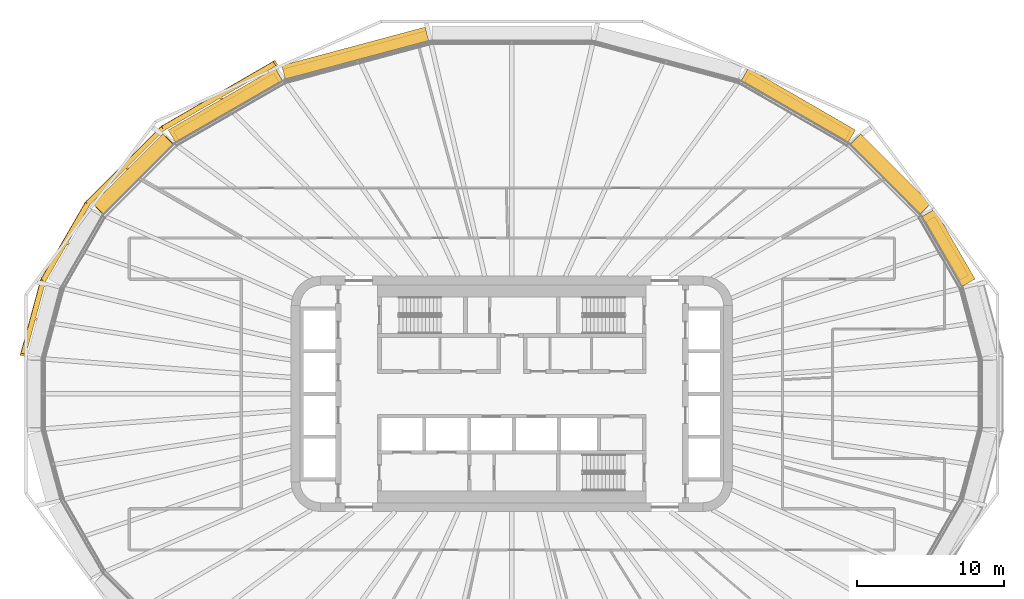
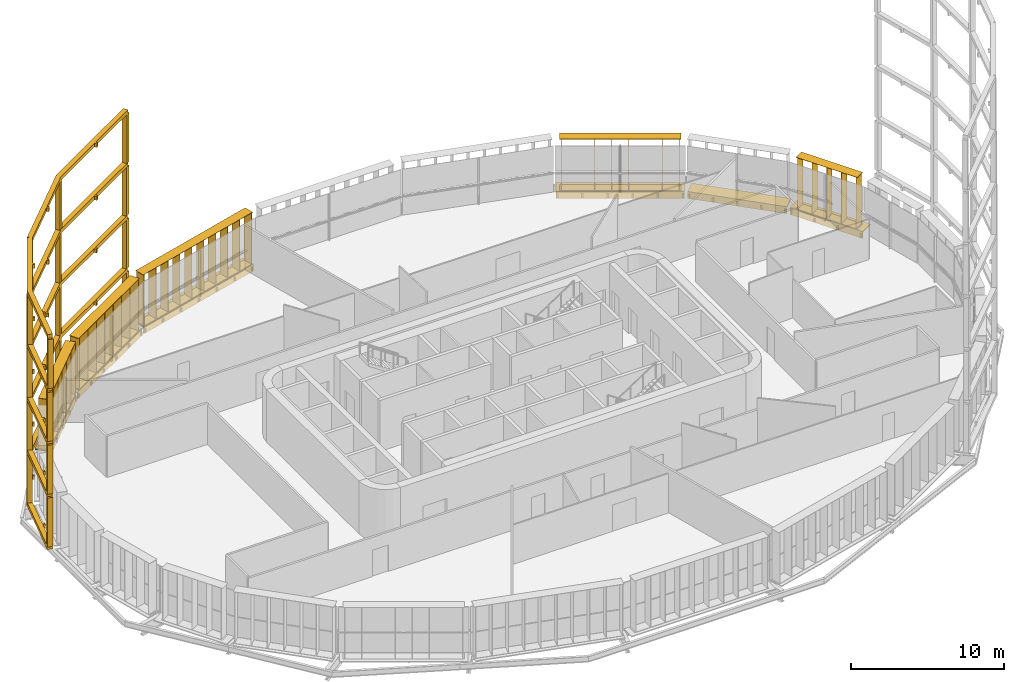
# One storey, part 25 of 26: 12 shading devices.
"""IFC4 building model written with IfcOpenShell, lengths in metres."""

import ifcopenshell
import ifcopenshell.guid

model = None  # the IFC model being written
_history = None  # IfcOwnerHistory: only IFC2X3 demands one
_inside = {}  # id of a spatial element -> (the spatial element, [elements in it])
_under = {}  # id of a project, library or spatial element -> (it, [spatial elements below it])
_declared = {}  # id of a project -> (the project, [libraries it declares])
_typed = {}  # id of a type object -> (the type object, [elements of that type])
_made_of = {}  # id of a material, layer set ... -> (it, [elements and type objects made of it])


def new_model(schema):
    """Start an empty IFC model of exactly this schema.

    Asked for "IFC4X3", IfcOpenShell would pick the latest addendum, in which some entities
    have other attributes; the version numbers below select the first issue.
    IFC2X3 requires an IfcOwnerHistory on every rooted entity: one is made here for all.
    """
    global model, _history
    if schema == "IFC4X3":
        model = ifcopenshell.file(schema_version=(4, 3, 0, 0))
    else:
        model = ifcopenshell.file(schema=schema)
    _inside.clear()
    _under.clear()
    _declared.clear()
    _typed.clear()
    _made_of.clear()
    _history = None
    if model.schema == "IFC2X3":
        org = make("IfcOrganization", Name="unknown")
        user = make(
            "IfcPersonAndOrganization",
            ThePerson=make("IfcPerson", FamilyName="unknown"),
            TheOrganization=org,
        )
        app = make(
            "IfcApplication",
            ApplicationDeveloper=org,
            Version="unknown",
            ApplicationFullName="unknown",
            ApplicationIdentifier="unknown",
        )
        _history = make(
            "IfcOwnerHistory",
            OwningUser=user,
            OwningApplication=app,
            ChangeAction="ADDED",
            CreationDate=0,
        )
    return model


def make(cls, **values):
    """One entity of the class cls with the attributes given. An attribute that is None is left unset."""
    return model.create_entity(
        cls, **{name: value for name, value in values.items() if value is not None}
    )


def rooted(cls, **values):
    """An entity with a GlobalId (a new one), such as an element, a storey or a relation."""
    return make(cls, GlobalId=ifcopenshell.guid.new(), OwnerHistory=_history, **values)


def si_unit(unit_type, name, prefix=None):
    """IfcSIUnit, for example si_unit("LENGTHUNIT", "METRE", prefix="MILLI")."""
    return make("IfcSIUnit", UnitType=unit_type, Prefix=prefix, Name=name)


def assignment(units):
    """IfcUnitAssignment: the units of a project."""
    return None if units is None else make("IfcUnitAssignment", Units=units)


def point(xyz):
    """IfcCartesianPoint."""
    return None if xyz is None else make("IfcCartesianPoint", Coordinates=xyz)


def direction(xyz):
    """IfcDirection."""
    return None if xyz is None else make("IfcDirection", DirectionRatios=xyz)


def frame(location, z_axis=None, x_axis=None):
    """IfcAxis2Placement3D, a coordinate frame: its origin and axes. An axis left out is left unset."""
    return make(
        "IfcAxis2Placement3D",
        Location=point(location),
        Axis=direction(z_axis),
        RefDirection=direction(x_axis),
    )


def frame_2d(location, x_axis=None):
    """IfcAxis2Placement2D, a coordinate frame in the plane: its origin and x axis."""
    return make(
        "IfcAxis2Placement2D", Location=point(location), RefDirection=direction(x_axis)
    )


def origin():
    """The frame at (0, 0, 0) with its axes left unset."""
    return frame((0.0, 0.0, 0.0))


def origin_2d():
    """The frame at (0, 0) in the plane with its x axis left unset."""
    return frame_2d((0.0, 0.0))


def place(relative_to, where):
    """IfcLocalPlacement: puts the frame where relative to a parent placement (None: the world)."""
    return make(
        "IfcLocalPlacement", PlacementRelTo=relative_to, RelativePlacement=where
    )


def context(
    kind, dimensions, precision=None, world=None, true_north=None, identifier=None
):
    """IfcGeometricRepresentationContext, for example the 3D "Model" context."""
    return make(
        "IfcGeometricRepresentationContext",
        ContextIdentifier=identifier,
        ContextType=kind,
        CoordinateSpaceDimension=dimensions,
        Precision=precision,
        WorldCoordinateSystem=world,
        TrueNorth=true_north,
    )


def subcontext(parent, identifier, kind, view, scale=None):
    """IfcGeometricRepresentationSubContext, for example "Body" below "Model"."""
    return make(
        "IfcGeometricRepresentationSubContext",
        ContextIdentifier=identifier,
        ContextType=kind,
        ParentContext=parent,
        TargetScale=scale,
        TargetView=view,
    )


def project(units=None, contexts=None):
    """IfcProject with its units and contexts."""
    return rooted(
        "IfcProject",
        Name="project",
        RepresentationContexts=contexts,
        UnitsInContext=assignment(units),
    )


def spatial(cls, under=None, at=None, **own):
    """A site, building, storey or space (cls), placed at a placement, below another one or the project."""
    s = rooted(cls, ObjectPlacement=at, **own)
    if under is not None:
        _under.setdefault(under.id(), (under, []))[1].append(s)
    return s


def polyline(points):
    """IfcPolyline through the points."""
    return make("IfcPolyline", Points=[point(p) for p in points])


def profile(cls, at=None, kind="AREA", **sizes):
    """A parametric profile (cls). Its sizes go by their IFC names, for example OverallWidth=200.0."""
    return make(cls, ProfileType=kind, Position=at, **sizes)


def rectangle(**sizes):
    """IfcRectangleProfileDef."""
    return profile("IfcRectangleProfileDef", **sizes)


def outline(outer, holes=None, kind="AREA"):
    """IfcArbitraryClosedProfileDef: a profile drawn as a closed curve; with holes, ...WithVoids."""
    if holes is None:
        return make("IfcArbitraryClosedProfileDef", ProfileType=kind, OuterCurve=outer)
    return make(
        "IfcArbitraryProfileDefWithVoids",
        ProfileType=kind,
        OuterCurve=outer,
        InnerCurves=holes,
    )


def extrude(swept, where, along, depth):
    """IfcExtrudedAreaSolid: the profile swept, set in the frame where, extruded along a direction by depth."""
    return make(
        "IfcExtrudedAreaSolid",
        SweptArea=swept,
        Position=where,
        ExtrudedDirection=direction(along),
        Depth=depth,
    )


def shape(context_of_items, identifier, shape_type, items):
    """IfcShapeRepresentation: the items that make up one representation, for example the "Body"."""
    return make(
        "IfcShapeRepresentation",
        ContextOfItems=context_of_items,
        RepresentationIdentifier=identifier,
        RepresentationType=shape_type,
        Items=items,
    )


def material(Name=None, Category=None):
    """IfcMaterial."""
    return make("IfcMaterial", Name=Name, Category=Category)


def made_of(thing, what):
    """Note that an element or type object is made of a material, layer set ...; save() writes the relation."""
    if what is not None:
        _made_of.setdefault(what.id(), (what, []))[1].append(thing)
    return thing


def type_object(cls, material=None, **own):
    """A type object (cls), such as IfcWallType, which elements share."""
    return made_of(rooted(cls, **own), material)


def element(
    cls,
    number,
    at=None,
    inside=None,
    cuts=None,
    type_object=None,
    material=None,
    context=None,
    identifier="Body",
    shape_type=None,
    held_by="IfcProductDefinitionShape",
    body=None,
    shapes=None,
    **own,
):
    """One element of the class cls, such as IfcWall. Its Tag is "e" and its number.

    at: its placement. inside: the storey or other place that contains it. cuts: it is an
    opening in that element (IfcRelVoidsElement). A single representation is given by context,
    identifier, shape_type and body (its items); several are given by shapes. held_by: the class
    of the entity that holds the representations. save() writes the other relations.
    """
    e = rooted(cls, Tag="e%d" % number, ObjectPlacement=at, **own)
    if body is not None:
        shapes = [shape(context, identifier, shape_type, body)]
    if shapes is not None:
        e.Representation = make(held_by, Representations=shapes)
    if inside is not None:
        _inside.setdefault(inside.id(), (inside, []))[1].append(e)
    if cuts is not None:
        rooted(
            "IfcRelVoidsElement", RelatingBuildingElement=cuts, RelatedOpeningElement=e
        )
    if type_object is not None:
        _typed.setdefault(type_object.id(), (type_object, []))[1].append(e)
    return made_of(e, material)


def aggregate(whole, parts):
    """IfcRelAggregates: a whole, such as a stair, and the parts it consists of."""
    return rooted("IfcRelAggregates", RelatingObject=whole, RelatedObjects=parts)


def save(model, path):
    """Write the relations noted so far, then the file.

    IfcRelAggregates (storeys below a building ...), IfcRelContainedInSpatialStructure (elements
    in a storey), IfcRelDefinesByType, IfcRelAssociatesMaterial and IfcRelDeclares: one each for
    every whole, place, type object, material and project.
    """
    for whole, parts in _under.values():
        aggregate(whole, parts)
    for where, things in _inside.values():
        rooted(
            "IfcRelContainedInSpatialStructure",
            RelatedElements=things,
            RelatingStructure=where,
        )
    for kind, things in _typed.values():
        rooted("IfcRelDefinesByType", RelatedObjects=things, RelatingType=kind)
    for what, things in _made_of.values():
        rooted("IfcRelAssociatesMaterial", RelatedObjects=things, RelatingMaterial=what)
    for by, libraries in _declared.values():
        rooted("IfcRelDeclares", RelatingContext=by, RelatedDefinitions=libraries)
    model.write(path)


model = new_model("IFC4")

# Units and contexts
model_context = context("Model", 3, precision=1e-05, world=origin(), true_north=direction((0.0, 1.0)))
body_context = subcontext(model_context, "Body", "Model", "MODEL_VIEW")
ifc_project = project(units=[si_unit("LENGTHUNIT", "METRE"), si_unit("AREAUNIT", "SQUARE_METRE"), si_unit("VOLUMEUNIT", "CUBIC_METRE"), si_unit("PLANEANGLEUNIT", "RADIAN"), si_unit("MASSUNIT", "GRAM", prefix="KILO")], contexts=[model_context])

# Site, building, storey
site_placement = place(None, origin())
site = spatial("IfcSite", under=ifc_project, at=site_placement, CompositionType="ELEMENT")
building_placement = place(site_placement, origin())
building = spatial("IfcBuilding", under=site, at=building_placement, Name="Sahrelin Media Tower", CompositionType="ELEMENT")
storey_placement = place(building_placement, frame((0.0, 0.0, 102.0)))
storey = spatial("IfcBuildingStorey", under=building, at=storey_placement, Name="L19", CompositionType="ELEMENT", Elevation=102.0)

# Shading devices
ifc_material_1 = material(Name="Dark bronze anodised aluminium 6063-T6", Category="aluminium")
shading_device_type_1 = type_object("IfcShadingDeviceType", Name="Deep frame", PredefinedType="USERDEFINED", material=ifc_material_1)
shading_device_1_placement = place(storey_placement, frame((-15.483642578125, 21.310302734375, 0.0), z_axis=(0.0, 0.0, 1.0), x_axis=(0.866019052629, 0.500011000363, 0.0)))
element("IfcShadingDevice", 1, at=shading_device_1_placement, inside=storey, type_object=shading_device_type_1, Name="L19:FRAME:F2-1", ObjectType="FRAME", PredefinedType="USERDEFINED", context=body_context, shape_type="SweptSolid", body=[
    extrude(rectangle(XDim=0.300048828125, YDim=0.35009765625, at=origin_2d()), frame((0.0, 1.324951171875, 0.14990234375), z_axis=(0.0, 0.0, 1.0), x_axis=(-1.0, 0.0, 0.0)), (0.0, 0.0, 1.0), 3.900146484375),
    extrude(rectangle(XDim=0.300048828125, YDim=0.35009765625, at=origin_2d()), frame((-8.77294921875, 1.313720703125, 0.14990234375), z_axis=(0.0, 0.0, 1.0), x_axis=(-0.991436202368, -0.130591947046, 0.0)), (0.0, 0.0, 1.0), 3.900146484375),
    extrude(rectangle(XDim=0.300048828125, YDim=0.35009765625, at=origin_2d()), frame((-15.773193359375, -0.56201171875, 0.14990234375), z_axis=(0.0, 0.0, 1.0), x_axis=(-0.923912256654, -0.382604419741, 0.0)), (0.0, 0.0, 1.0), 3.900146484375),
    extrude(rectangle(XDim=0.300048828125, YDim=0.35009765625, at=origin_2d()), frame((-20.992919921875, -3.575439453125, 0.14990234375), z_axis=(0.0, 0.0, 1.0), x_axis=(-0.793352277801, -0.608762813671, 0.0)), (0.0, 0.0, 1.0), 3.900146484375),
    extrude(rectangle(XDim=0.300048828125, YDim=0.35009765625, at=origin_2d()), frame((-24.65380859375, -7.220703125, 0.14990234375), z_axis=(0.0, 0.0, 1.0), x_axis=(-0.707106781187, -0.707106781187, 0.0)), (0.0, 0.0, 1.0), 3.900146484375),
    extrude(outline(polyline([(-22.6904296875, -5.75927734375), (-22.58447265625, -5.6533203125), (-22.707763671875, -5.52978515625), (-20.885498046875, -3.7158203125), (-18.360595703125, -2.2578125), (-18.276123046875, -2.40380859375), (-18.146240234375, -2.328857421875), (-18.230712890625, -2.182861328125), (-15.705810546875, -0.72509765625), (-12.30029296875, 0.1875), (-12.256591796875, 0.0244140625), (-12.11181640625, 0.063232421875), (-12.1552734375, 0.226318359375), (-8.749755859375, 1.138671875), (-4.375, 1.144287109375), (-4.375, 0.969970703125), (-4.22509765625, 0.969970703125), (-4.22509765625, 1.14453125), (0.000244140625, 1.14990234375), (-0.000244140625, 1.5), (-8.773193359375, 1.48876953125), (-8.77294921875, 1.313720703125), (-8.818115234375, 1.482666015625), (-15.818603515625, -0.39306640625), (-15.773193359375, -0.56201171875), (-15.860595703125, -0.410400390625), (-21.080322265625, -3.424072265625), (-20.992919921875, -3.575439453125), (-21.1162109375, -3.451416015625), (-24.77734375, -7.0966796875), (-24.530517578125, -7.344482421875), (-22.81396484375, -5.6357421875), (-22.6904296875, -5.75927734375)])), frame((0.0, 0.0, -0.14990234375)), (0.0, 0.0, 1.0), 0.2998046875),
    extrude(rectangle(XDim=0.300048828125, YDim=0.35009765625, at=origin_2d()), frame((0.0, 1.324951171875, 4.35009765625), z_axis=(0.0, 0.0, 1.0), x_axis=(-1.0, 0.0, 0.0)), (0.0, 0.0, 1.0), 3.89990234375),
    extrude(rectangle(XDim=0.300048828125, YDim=0.35009765625, at=origin_2d()), frame((-8.77294921875, 1.313720703125, 4.35009765625), z_axis=(0.0, 0.0, 1.0), x_axis=(-0.991436202368, -0.130591947046, 0.0)), (0.0, 0.0, 1.0), 3.89990234375),
    extrude(rectangle(XDim=0.300048828125, YDim=0.35009765625, at=origin_2d()), frame((-15.773193359375, -0.56201171875, 4.35009765625), z_axis=(0.0, 0.0, 1.0), x_axis=(-0.923912256654, -0.382604419741, 0.0)), (0.0, 0.0, 1.0), 3.89990234375),
    extrude(rectangle(XDim=0.300048828125, YDim=0.35009765625, at=origin_2d()), frame((-20.992919921875, -3.575439453125, 4.35009765625), z_axis=(0.0, 0.0, 1.0), x_axis=(-0.793352277801, -0.608762813671, 0.0)), (0.0, 0.0, 1.0), 3.89990234375),
    extrude(rectangle(XDim=0.300048828125, YDim=0.35009765625, at=origin_2d()), frame((-24.65380859375, -7.220703125, 4.35009765625), z_axis=(0.0, 0.0, 1.0), x_axis=(-0.707106781187, -0.707106781187, 0.0)), (0.0, 0.0, 1.0), 3.89990234375),
    extrude(outline(polyline([(-22.6904296875, -5.75927734375), (-22.58447265625, -5.6533203125), (-22.707763671875, -5.52978515625), (-20.885498046875, -3.7158203125), (-18.360595703125, -2.2578125), (-18.276123046875, -2.40380859375), (-18.146240234375, -2.328857421875), (-18.230712890625, -2.182861328125), (-15.705810546875, -0.72509765625), (-12.30029296875, 0.1875), (-12.256591796875, 0.0244140625), (-12.11181640625, 0.063232421875), (-12.1552734375, 0.226318359375), (-8.749755859375, 1.138671875), (-4.375, 1.144287109375), (-4.375, 0.969970703125), (-4.22509765625, 0.969970703125), (-4.22509765625, 1.14453125), (0.000244140625, 1.14990234375), (-0.000244140625, 1.5), (-8.773193359375, 1.48876953125), (-8.77294921875, 1.313720703125), (-8.818115234375, 1.482666015625), (-15.818603515625, -0.39306640625), (-15.773193359375, -0.56201171875), (-15.860595703125, -0.410400390625), (-21.080322265625, -3.424072265625), (-20.992919921875, -3.575439453125), (-21.1162109375, -3.451416015625), (-24.77734375, -7.0966796875), (-24.530517578125, -7.344482421875), (-22.81396484375, -5.6357421875), (-22.6904296875, -5.75927734375)])), frame((0.0, 0.0, 4.050048828125)), (0.0, 0.0, 1.0), 0.300048828125),
    extrude(rectangle(XDim=0.300048828125, YDim=0.35009765625, at=origin_2d()), frame((0.0, 1.324951171875, 8.550048828125), z_axis=(0.0, 0.0, 1.0), x_axis=(-1.0, 0.0, 0.0)), (0.0, 0.0, 1.0), 3.89990234375),
    extrude(rectangle(XDim=0.300048828125, YDim=0.35009765625, at=origin_2d()), frame((-8.77294921875, 1.313720703125, 8.550048828125), z_axis=(0.0, 0.0, 1.0), x_axis=(-0.991436202368, -0.130591947046, 0.0)), (0.0, 0.0, 1.0), 3.89990234375),
    extrude(rectangle(XDim=0.300048828125, YDim=0.35009765625, at=origin_2d()), frame((-15.773193359375, -0.56201171875, 8.550048828125), z_axis=(0.0, 0.0, 1.0), x_axis=(-0.923912256654, -0.382604419741, 0.0)), (0.0, 0.0, 1.0), 3.89990234375),
    extrude(rectangle(XDim=0.300048828125, YDim=0.35009765625, at=origin_2d()), frame((-20.992919921875, -3.575439453125, 8.550048828125), z_axis=(0.0, 0.0, 1.0), x_axis=(-0.793352277801, -0.608762813671, 0.0)), (0.0, 0.0, 1.0), 3.89990234375),
    extrude(rectangle(XDim=0.300048828125, YDim=0.35009765625, at=origin_2d()), frame((-24.65380859375, -7.220703125, 8.550048828125), z_axis=(0.0, 0.0, 1.0), x_axis=(-0.707106781187, -0.707106781187, 0.0)), (0.0, 0.0, 1.0), 3.89990234375),
    extrude(outline(polyline([(-22.6904296875, -5.75927734375), (-22.58447265625, -5.6533203125), (-22.707763671875, -5.52978515625), (-20.885498046875, -3.7158203125), (-18.360595703125, -2.2578125), (-18.276123046875, -2.40380859375), (-18.146240234375, -2.328857421875), (-18.230712890625, -2.182861328125), (-15.705810546875, -0.72509765625), (-12.30029296875, 0.1875), (-12.256591796875, 0.0244140625), (-12.11181640625, 0.063232421875), (-12.1552734375, 0.226318359375), (-8.749755859375, 1.138671875), (-4.375, 1.144287109375), (-4.375, 0.969970703125), (-4.22509765625, 0.969970703125), (-4.22509765625, 1.14453125), (0.000244140625, 1.14990234375), (-0.000244140625, 1.5), (-8.773193359375, 1.48876953125), (-8.77294921875, 1.313720703125), (-8.818115234375, 1.482666015625), (-15.818603515625, -0.39306640625), (-15.773193359375, -0.56201171875), (-15.860595703125, -0.410400390625), (-21.080322265625, -3.424072265625), (-20.992919921875, -3.575439453125), (-21.1162109375, -3.451416015625), (-24.77734375, -7.0966796875), (-24.530517578125, -7.344482421875), (-22.81396484375, -5.6357421875), (-22.6904296875, -5.75927734375)])), frame((0.0, 0.0, 8.25)), (0.0, 0.0, 1.0), 0.300048828125),
    extrude(rectangle(XDim=0.300048828125, YDim=0.35009765625, at=origin_2d()), frame((0.001953125, 1.30126953125, 12.75), z_axis=(0.0, 0.0, 1.0), x_axis=(-1.0, 0.0, 0.0)), (0.0, 0.0, 1.0), 3.89990234375),
    extrude(rectangle(XDim=0.300048828125, YDim=0.35009765625, at=origin_2d()), frame((-8.76318359375, 1.2900390625, 12.75), z_axis=(0.0, 0.0, 1.0), x_axis=(-0.991434606813, -0.130604059715, 0.0)), (0.0, 0.0, 1.0), 3.89990234375),
    extrude(rectangle(XDim=0.300048828125, YDim=0.35009765625, at=origin_2d()), frame((-15.757568359375, -0.584228515625, 12.75), z_axis=(0.0, 0.0, 1.0), x_axis=(-0.923876860854, -0.382689882252, 0.0)), (0.0, 0.0, 1.0), 3.89990234375),
    extrude(rectangle(XDim=0.300048828125, YDim=0.35009765625, at=origin_2d()), frame((-20.972412109375, -3.59521484375, 12.75), z_axis=(0.0, 0.0, 1.0), x_axis=(-0.793352277801, -0.608762813671, 0.0)), (0.0, 0.0, 1.0), 3.89990234375),
    extrude(rectangle(XDim=0.300048828125, YDim=0.35009765625, at=origin_2d()), frame((-24.63037109375, -7.23681640625, 12.75), z_axis=(0.0, 0.0, 1.0), x_axis=(-0.707106781187, -0.707106781187, 0.0)), (0.0, 0.0, 1.0), 3.89990234375),
    extrude(outline(polyline([(-22.66845703125, -5.777099609375), (-22.5625, -5.671142578125), (-22.685791015625, -5.5478515625), (-20.865234375, -3.7353515625), (-18.342529296875, -2.27880859375), (-18.258056640625, -2.4248046875), (-18.128173828125, -2.349853515625), (-18.212646484375, -2.20361328125), (-15.68994140625, -0.747314453125), (-12.28759765625, 0.164306640625), (-12.243896484375, 0.00146484375), (-12.09912109375, 0.040283203125), (-12.142578125, 0.203369140625), (-8.739990234375, 1.114990234375), (-4.369140625, 1.12060546875), (-4.369140625, 0.9462890625), (-4.21923828125, 0.9462890625), (-4.21923828125, 1.120849609375), (0.002197265625, 1.126220703125), (0.001708984375, 1.476318359375), (-8.763427734375, 1.465087890625), (-8.76318359375, 1.2900390625), (-8.80859375, 1.458984375), (-15.802734375, -0.415283203125), (-15.757568359375, -0.584228515625), (-15.844970703125, -0.4326171875), (-21.06005859375, -3.443603515625), (-20.972412109375, -3.59521484375), (-21.095947265625, -3.47119140625), (-24.753662109375, -7.11279296875), (-24.5068359375, -7.360595703125), (-22.7919921875, -5.653564453125), (-22.66845703125, -5.777099609375)])), frame((0.0, 0.0, 12.449951171875)), (0.0, 0.0, 1.0), 0.300048828125),
    extrude(outline(polyline([(-22.66845703125, -5.777099609375), (-22.5625, -5.671142578125), (-22.685791015625, -5.5478515625), (-20.865234375, -3.7353515625), (-18.342529296875, -2.27880859375), (-18.258056640625, -2.4248046875), (-18.128173828125, -2.349853515625), (-18.212646484375, -2.20361328125), (-15.68994140625, -0.747314453125), (-12.28759765625, 0.164306640625), (-12.243896484375, 0.00146484375), (-12.09912109375, 0.040283203125), (-12.142578125, 0.203369140625), (-8.739990234375, 1.114990234375), (-4.369140625, 1.12060546875), (-4.369140625, 0.9462890625), (-4.21923828125, 0.9462890625), (-4.21923828125, 1.120849609375), (0.002197265625, 1.126220703125), (0.001708984375, 1.476318359375), (-8.763427734375, 1.465087890625), (-8.76318359375, 1.2900390625), (-8.80859375, 1.458984375), (-15.802734375, -0.415283203125), (-15.757568359375, -0.584228515625), (-15.844970703125, -0.4326171875), (-21.06005859375, -3.443603515625), (-20.972412109375, -3.59521484375), (-21.095947265625, -3.47119140625), (-24.753662109375, -7.11279296875), (-24.5068359375, -7.360595703125), (-22.7919921875, -5.653564453125), (-22.66845703125, -5.777099609375)])), frame((0.0, 0.0, 16.64990234375)), (0.0, 0.0, 1.0), 0.300048828125),
])
ifc_material_2 = material(Name="Champagne anodised aluminium 6063-T6", Category="aluminium")
shading_device_type_2 = type_object("IfcShadingDeviceType", Name="Fin cassette", PredefinedType="USERDEFINED", material=ifc_material_2)
placement_1 = place(storey_placement, frame((29.231689453125, 9.67041015625, 0.0), z_axis=(0.0, 0.0, 1.0), x_axis=(0.500011000363, -0.866019052629, 0.0)))
element("IfcShadingDevice", 2, at=placement_1, inside=storey, type_object=shading_device_type_2, Name="L19:FIN:L19-02", ObjectType="FIN", PredefinedType="USERDEFINED", context=body_context, shape_type="SweptSolid", body=[
    extrude(rectangle(XDim=4.60009765625, YDim=0.699951171875, at=origin_2d()), frame((0.0, 0.419921875, 0.0)), (0.0, 0.0, 1.0), 0.02001953125),
    extrude(rectangle(XDim=4.60009765625, YDim=0.699951171875, at=origin_2d()), frame((0.0, 0.419921875, 4.10009765625)), (0.0, 0.0, 1.0), 0.02001953125),
    extrude(rectangle(XDim=0.02001953125, YDim=0.699951171875, at=origin_2d()), frame((-2.199951171875, 0.419921875, 0.010009765625), z_axis=(0.0, 0.0, 1.0), x_axis=(1.0, 0.0, 0.0)), (0.0, 0.0, 1.0), 4.10009765625),
    extrude(rectangle(XDim=0.02001953125, YDim=0.699951171875, at=origin_2d()), frame((-1.10009765625, 0.419921875, 0.010009765625), z_axis=(0.0, 0.0, 1.0), x_axis=(1.0, 0.0, 0.0)), (0.0, 0.0, 1.0), 4.10009765625),
    extrude(rectangle(XDim=0.02001953125, YDim=0.699951171875, at=origin_2d()), frame((0.0, 0.419921875, 0.010009765625), z_axis=(0.0, 0.0, 1.0), x_axis=(1.0, 0.0, 0.0)), (0.0, 0.0, 1.0), 4.10009765625),
    extrude(rectangle(XDim=0.02001953125, YDim=0.699951171875, at=origin_2d()), frame((1.10009765625, 0.419921875, 0.010009765625), z_axis=(0.0, 0.0, 1.0), x_axis=(1.0, 0.0, 0.0)), (0.0, 0.0, 1.0), 4.10009765625),
    extrude(rectangle(XDim=0.02001953125, YDim=0.699951171875, at=origin_2d()), frame((2.199951171875, 0.419921875, 0.010009765625), z_axis=(0.0, 0.0, 1.0), x_axis=(1.0, 0.0, 0.0)), (0.0, 0.0, 1.0), 4.10009765625),
])
placement_2 = place(storey_placement, frame((19.20751953125, 19.160400390625, 0.0), z_axis=(0.0, 0.0, 1.0), x_axis=(0.866019052629, -0.500011000363, 0.0)))
element("IfcShadingDevice", 3, at=placement_2, inside=storey, type_object=shading_device_type_2, Name="L19:FIN:L19-04", ObjectType="FIN", PredefinedType="USERDEFINED", context=body_context, shape_type="SweptSolid", body=[
    extrude(rectangle(XDim=7.89990234375, YDim=0.699951171875, at=origin_2d()), frame((0.0, 0.419921875, 0.0)), (0.0, 0.0, 1.0), 0.02001953125),
    extrude(rectangle(XDim=7.89990234375, YDim=0.699951171875, at=origin_2d()), frame((0.0, 0.419921875, 4.10009765625)), (0.0, 0.0, 1.0), 0.02001953125),
    extrude(rectangle(XDim=0.02001953125, YDim=0.699951171875, at=origin_2d()), frame((-3.85009765625, 0.419921875, 0.010009765625), z_axis=(0.0, 0.0, 1.0), x_axis=(1.0, 0.0, 0.0)), (0.0, 0.0, 1.0), 4.10009765625),
    extrude(rectangle(XDim=0.02001953125, YDim=0.699951171875, at=origin_2d()), frame((-2.75, 0.419921875, 0.010009765625), z_axis=(0.0, 0.0, 1.0), x_axis=(1.0, 0.0, 0.0)), (0.0, 0.0, 1.0), 4.10009765625),
    extrude(rectangle(XDim=0.02001953125, YDim=0.699951171875, at=origin_2d()), frame((-1.64990234375, 0.419921875, 0.010009765625), z_axis=(0.0, 0.0, 1.0), x_axis=(1.0, 0.0, 0.0)), (0.0, 0.0, 1.0), 4.10009765625),
    extrude(rectangle(XDim=0.02001953125, YDim=0.699951171875, at=origin_2d()), frame((-0.550048828125, 0.419921875, 0.010009765625), z_axis=(0.0, 0.0, 1.0), x_axis=(1.0, 0.0, 0.0)), (0.0, 0.0, 1.0), 4.10009765625),
    extrude(rectangle(XDim=0.02001953125, YDim=0.699951171875, at=origin_2d()), frame((0.550048828125, 0.419921875, 0.010009765625), z_axis=(0.0, 0.0, 1.0), x_axis=(1.0, 0.0, 0.0)), (0.0, 0.0, 1.0), 4.10009765625),
    extrude(rectangle(XDim=0.02001953125, YDim=0.699951171875, at=origin_2d()), frame((1.64990234375, 0.419921875, 0.010009765625), z_axis=(0.0, 0.0, 1.0), x_axis=(1.0, 0.0, 0.0)), (0.0, 0.0, 1.0), 4.10009765625),
    extrude(rectangle(XDim=0.02001953125, YDim=0.699951171875, at=origin_2d()), frame((2.75, 0.419921875, 0.010009765625), z_axis=(0.0, 0.0, 1.0), x_axis=(1.0, 0.0, 0.0)), (0.0, 0.0, 1.0), 4.10009765625),
    extrude(rectangle(XDim=0.02001953125, YDim=0.699951171875, at=origin_2d()), frame((3.85009765625, 0.419921875, 0.010009765625), z_axis=(0.0, 0.0, 1.0), x_axis=(1.0, 0.0, 0.0)), (0.0, 0.0, 1.0), 4.10009765625),
])
placement_3 = place(storey_placement, frame((-10.50732421875, 22.643798828125, 0.0), z_axis=(0.0, 0.0, 1.0), x_axis=(0.965928857556, 0.258807731996, 0.0)))
element("IfcShadingDevice", 4, at=placement_3, inside=storey, type_object=shading_device_type_2, Name="L19:FIN:L19-07", ObjectType="FIN", PredefinedType="USERDEFINED", context=body_context, shape_type="SweptSolid", body=[
    extrude(rectangle(XDim=10.10009765625, YDim=0.699951171875, at=origin_2d()), frame((0.0, 0.419921875, 0.0)), (0.0, 0.0, 1.0), 0.02001953125),
    extrude(rectangle(XDim=10.10009765625, YDim=0.699951171875, at=origin_2d()), frame((0.0, 0.419921875, 4.10009765625)), (0.0, 0.0, 1.0), 0.02001953125),
    extrude(rectangle(XDim=0.02001953125, YDim=0.699951171875, at=origin_2d()), frame((-4.949951171875, 0.419921875, 0.010009765625), z_axis=(0.0, 0.0, 1.0), x_axis=(1.0, 0.0, 0.0)), (0.0, 0.0, 1.0), 4.10009765625),
    extrude(rectangle(XDim=0.02001953125, YDim=0.699951171875, at=origin_2d()), frame((-3.85009765625, 0.419921875, 0.010009765625), z_axis=(0.0, 0.0, 1.0), x_axis=(1.0, 0.0, 0.0)), (0.0, 0.0, 1.0), 4.10009765625),
    extrude(rectangle(XDim=0.02001953125, YDim=0.699951171875, at=origin_2d()), frame((-2.75, 0.419921875, 0.010009765625), z_axis=(0.0, 0.0, 1.0), x_axis=(1.0, 0.0, 0.0)), (0.0, 0.0, 1.0), 4.10009765625),
    extrude(rectangle(XDim=0.02001953125, YDim=0.699951171875, at=origin_2d()), frame((-1.64990234375, 0.419921875, 0.010009765625), z_axis=(0.0, 0.0, 1.0), x_axis=(1.0, 0.0, 0.0)), (0.0, 0.0, 1.0), 4.10009765625),
    extrude(rectangle(XDim=0.02001953125, YDim=0.699951171875, at=origin_2d()), frame((-0.550048828125, 0.419921875, 0.010009765625), z_axis=(0.0, 0.0, 1.0), x_axis=(1.0, 0.0, 0.0)), (0.0, 0.0, 1.0), 4.10009765625),
    extrude(rectangle(XDim=0.02001953125, YDim=0.699951171875, at=origin_2d()), frame((0.550048828125, 0.419921875, 0.010009765625), z_axis=(0.0, 0.0, 1.0), x_axis=(1.0, 0.0, 0.0)), (0.0, 0.0, 1.0), 4.10009765625),
    extrude(rectangle(XDim=0.02001953125, YDim=0.699951171875, at=origin_2d()), frame((1.64990234375, 0.419921875, 0.010009765625), z_axis=(0.0, 0.0, 1.0), x_axis=(1.0, 0.0, 0.0)), (0.0, 0.0, 1.0), 4.10009765625),
    extrude(rectangle(XDim=0.02001953125, YDim=0.699951171875, at=origin_2d()), frame((2.75, 0.419921875, 0.010009765625), z_axis=(0.0, 0.0, 1.0), x_axis=(1.0, 0.0, 0.0)), (0.0, 0.0, 1.0), 4.10009765625),
    extrude(rectangle(XDim=0.02001953125, YDim=0.699951171875, at=origin_2d()), frame((3.85009765625, 0.419921875, 0.010009765625), z_axis=(0.0, 0.0, 1.0), x_axis=(1.0, 0.0, 0.0)), (0.0, 0.0, 1.0), 4.10009765625),
    extrude(rectangle(XDim=0.02001953125, YDim=0.699951171875, at=origin_2d()), frame((4.949951171875, 0.419921875, 0.010009765625), z_axis=(0.0, 0.0, 1.0), x_axis=(1.0, 0.0, 0.0)), (0.0, 0.0, 1.0), 4.10009765625),
])
placement_4 = place(storey_placement, frame((-19.20751953125, 19.160400390625, 0.0), z_axis=(0.0, 0.0, 1.0), x_axis=(0.866019052629, 0.500011000363, 0.0)))
element("IfcShadingDevice", 5, at=placement_4, inside=storey, type_object=shading_device_type_2, Name="L19:FIN:L19-08", ObjectType="FIN", PredefinedType="USERDEFINED", context=body_context, shape_type="SweptSolid", body=[
    extrude(rectangle(XDim=7.89990234375, YDim=0.699951171875, at=origin_2d()), frame((0.0, 0.419921875, 0.0)), (0.0, 0.0, 1.0), 0.02001953125),
    extrude(rectangle(XDim=7.89990234375, YDim=0.699951171875, at=origin_2d()), frame((0.0, 0.419921875, 4.10009765625)), (0.0, 0.0, 1.0), 0.02001953125),
    extrude(rectangle(XDim=0.02001953125, YDim=0.699951171875, at=origin_2d()), frame((-3.85009765625, 0.419921875, 0.010009765625), z_axis=(0.0, 0.0, 1.0), x_axis=(1.0, 0.0, 0.0)), (0.0, 0.0, 1.0), 4.10009765625),
    extrude(rectangle(XDim=0.02001953125, YDim=0.699951171875, at=origin_2d()), frame((-2.75, 0.419921875, 0.010009765625), z_axis=(0.0, 0.0, 1.0), x_axis=(1.0, 0.0, 0.0)), (0.0, 0.0, 1.0), 4.10009765625),
    extrude(rectangle(XDim=0.02001953125, YDim=0.699951171875, at=origin_2d()), frame((-1.64990234375, 0.419921875, 0.010009765625), z_axis=(0.0, 0.0, 1.0), x_axis=(1.0, 0.0, 0.0)), (0.0, 0.0, 1.0), 4.10009765625),
    extrude(rectangle(XDim=0.02001953125, YDim=0.699951171875, at=origin_2d()), frame((-0.550048828125, 0.419921875, 0.010009765625), z_axis=(0.0, 0.0, 1.0), x_axis=(1.0, 0.0, 0.0)), (0.0, 0.0, 1.0), 4.10009765625),
    extrude(rectangle(XDim=0.02001953125, YDim=0.699951171875, at=origin_2d()), frame((0.550048828125, 0.419921875, 0.010009765625), z_axis=(0.0, 0.0, 1.0), x_axis=(1.0, 0.0, 0.0)), (0.0, 0.0, 1.0), 4.10009765625),
    extrude(rectangle(XDim=0.02001953125, YDim=0.699951171875, at=origin_2d()), frame((1.64990234375, 0.419921875, 0.010009765625), z_axis=(0.0, 0.0, 1.0), x_axis=(1.0, 0.0, 0.0)), (0.0, 0.0, 1.0), 4.10009765625),
    extrude(rectangle(XDim=0.02001953125, YDim=0.699951171875, at=origin_2d()), frame((2.75, 0.419921875, 0.010009765625), z_axis=(0.0, 0.0, 1.0), x_axis=(1.0, 0.0, 0.0)), (0.0, 0.0, 1.0), 4.10009765625),
    extrude(rectangle(XDim=0.02001953125, YDim=0.699951171875, at=origin_2d()), frame((3.85009765625, 0.419921875, 0.010009765625), z_axis=(0.0, 0.0, 1.0), x_axis=(1.0, 0.0, 0.0)), (0.0, 0.0, 1.0), 4.10009765625),
])
placement_5 = place(storey_placement, frame((-25.371337890625, 14.5703125, 0.0), z_axis=(0.0, 0.0, 1.0), x_axis=(0.707106781187, 0.707106781187, 0.0)))
element("IfcShadingDevice", 6, at=placement_5, inside=storey, type_object=shading_device_type_2, Name="L19:FIN:L19-09", ObjectType="FIN", PredefinedType="USERDEFINED", context=body_context, shape_type="SweptSolid", body=[
    extrude(rectangle(XDim=6.800048828125, YDim=0.699951171875, at=origin_2d()), frame((0.0, 0.419921875, 0.0)), (0.0, 0.0, 1.0), 0.02001953125),
    extrude(rectangle(XDim=6.800048828125, YDim=0.699951171875, at=origin_2d()), frame((0.0, 0.419921875, 4.10009765625)), (0.0, 0.0, 1.0), 0.02001953125),
    extrude(rectangle(XDim=0.02001953125, YDim=0.699951171875, at=origin_2d()), frame((-3.300048828125, 0.419921875, 0.010009765625), z_axis=(0.0, 0.0, 1.0), x_axis=(1.0, 0.0, 0.0)), (0.0, 0.0, 1.0), 4.10009765625),
    extrude(rectangle(XDim=0.02001953125, YDim=0.699951171875, at=origin_2d()), frame((-2.199951171875, 0.419921875, 0.010009765625), z_axis=(0.0, 0.0, 1.0), x_axis=(1.0, 0.0, 0.0)), (0.0, 0.0, 1.0), 4.10009765625),
    extrude(rectangle(XDim=0.02001953125, YDim=0.699951171875, at=origin_2d()), frame((-1.10009765625, 0.419921875, 0.010009765625), z_axis=(0.0, 0.0, 1.0), x_axis=(1.0, 0.0, 0.0)), (0.0, 0.0, 1.0), 4.10009765625),
    extrude(rectangle(XDim=0.02001953125, YDim=0.699951171875, at=origin_2d()), frame((0.0, 0.419921875, 0.010009765625), z_axis=(0.0, 0.0, 1.0), x_axis=(1.0, 0.0, 0.0)), (0.0, 0.0, 1.0), 4.10009765625),
    extrude(rectangle(XDim=0.02001953125, YDim=0.699951171875, at=origin_2d()), frame((1.10009765625, 0.419921875, 0.010009765625), z_axis=(0.0, 0.0, 1.0), x_axis=(1.0, 0.0, 0.0)), (0.0, 0.0, 1.0), 4.10009765625),
    extrude(rectangle(XDim=0.02001953125, YDim=0.699951171875, at=origin_2d()), frame((2.199951171875, 0.419921875, 0.010009765625), z_axis=(0.0, 0.0, 1.0), x_axis=(1.0, 0.0, 0.0)), (0.0, 0.0, 1.0), 4.10009765625),
    extrude(rectangle(XDim=0.02001953125, YDim=0.699951171875, at=origin_2d()), frame((3.300048828125, 0.419921875, 0.010009765625), z_axis=(0.0, 0.0, 1.0), x_axis=(1.0, 0.0, 0.0)), (0.0, 0.0, 1.0), 4.10009765625),
])
shading_device_type_3 = type_object("IfcShadingDeviceType", Name="Sunshade band", PredefinedType="USERDEFINED", material=ifc_material_2)
element("IfcShadingDevice", 7, at=placement_1, inside=storey, type_object=shading_device_type_3, Name="L19:SUN:L19-02", ObjectType="SUNSHADE", PredefinedType="USERDEFINED", context=body_context, shape_type="SweptSolid", body=[
    extrude(rectangle(XDim=5.481201171875, YDim=0.050048828125, at=origin_2d()), frame((0.0, 0.044921875, -0.55126953125)), (0.0, 0.0, 1.0), 0.471435546875),
    extrude(rectangle(XDim=5.481201171875, YDim=1.0, at=origin_2d()), frame((0.0, 0.52001953125, -0.080078125)), (0.0, 0.0, 1.0), 0.080078125),
    extrude(rectangle(XDim=0.10009765625, YDim=0.074951171875, at=origin_2d()), frame((-2.640625, -0.017578125, -0.47021484375)), (0.0, 0.0, 1.0), 0.300048828125),
    extrude(rectangle(XDim=0.10009765625, YDim=0.074951171875, at=origin_2d()), frame((-0.880126953125, -0.017578125, -0.47021484375)), (0.0, 0.0, 1.0), 0.300048828125),
    extrude(rectangle(XDim=0.10009765625, YDim=0.074951171875, at=origin_2d()), frame((0.880126953125, -0.017578125, -0.47021484375)), (0.0, 0.0, 1.0), 0.300048828125),
    extrude(rectangle(XDim=0.10009765625, YDim=0.074951171875, at=origin_2d()), frame((2.640625, -0.017578125, -0.47021484375)), (0.0, 0.0, 1.0), 0.300048828125),
])
shading_device_8_placement = place(storey_placement, frame((25.371337890625, 14.5703125, 0.0), z_axis=(0.0, 0.0, 1.0), x_axis=(0.707106781187, -0.707106781187, 0.0)))
element("IfcShadingDevice", 8, at=shading_device_8_placement, inside=storey, type_object=shading_device_type_3, Name="L19:SUN:L19-03", ObjectType="SUNSHADE", PredefinedType="USERDEFINED", context=body_context, shape_type="SweptSolid", body=[
    extrude(rectangle(XDim=6.701416015625, YDim=0.050048828125, at=origin_2d()), frame((0.0, 0.044921875, -0.55126953125)), (0.0, 0.0, 1.0), 0.471435546875),
    extrude(rectangle(XDim=6.701416015625, YDim=1.0, at=origin_2d()), frame((0.0, 0.52001953125, -0.080078125)), (0.0, 0.0, 1.0), 0.080078125),
    extrude(rectangle(XDim=0.10009765625, YDim=0.074951171875, at=origin_2d()), frame((-3.250732421875, -0.017578125, -0.47021484375)), (0.0, 0.0, 1.0), 0.300048828125),
    extrude(rectangle(XDim=0.10009765625, YDim=0.074951171875, at=origin_2d()), frame((-1.625244140625, -0.017578125, -0.47021484375)), (0.0, 0.0, 1.0), 0.300048828125),
    extrude(rectangle(XDim=0.10009765625, YDim=0.074951171875, at=origin_2d()), frame((0.0, -0.017578125, -0.47021484375)), (0.0, 0.0, 1.0), 0.300048828125),
    extrude(rectangle(XDim=0.10009765625, YDim=0.074951171875, at=origin_2d()), frame((1.625244140625, -0.017578125, -0.47021484375)), (0.0, 0.0, 1.0), 0.300048828125),
    extrude(rectangle(XDim=0.10009765625, YDim=0.074951171875, at=origin_2d()), frame((3.250732421875, -0.017578125, -0.47021484375)), (0.0, 0.0, 1.0), 0.300048828125),
])
element("IfcShadingDevice", 9, at=placement_2, inside=storey, type_object=shading_device_type_3, Name="L19:SUN:L19-04", ObjectType="SUNSHADE", PredefinedType="USERDEFINED", context=body_context, shape_type="SweptSolid", body=[
    extrude(rectangle(XDim=8.39990234375, YDim=0.050048828125, at=origin_2d()), frame((0.0, 0.044921875, -0.55126953125)), (0.0, 0.0, 1.0), 0.471435546875),
    extrude(rectangle(XDim=8.39990234375, YDim=1.0, at=origin_2d()), frame((0.0, 0.52001953125, -0.080078125)), (0.0, 0.0, 1.0), 0.080078125),
    extrude(rectangle(XDim=0.10009765625, YDim=0.074951171875, at=origin_2d()), frame((-4.10009765625, -0.017578125, -0.47021484375)), (0.0, 0.0, 1.0), 0.300048828125),
    extrude(rectangle(XDim=0.10009765625, YDim=0.074951171875, at=origin_2d()), frame((-2.4599609375, -0.017578125, -0.47021484375)), (0.0, 0.0, 1.0), 0.300048828125),
    extrude(rectangle(XDim=0.10009765625, YDim=0.074951171875, at=origin_2d()), frame((-0.820068359375, -0.017578125, -0.47021484375)), (0.0, 0.0, 1.0), 0.300048828125),
    extrude(rectangle(XDim=0.10009765625, YDim=0.074951171875, at=origin_2d()), frame((0.820068359375, -0.017578125, -0.47021484375)), (0.0, 0.0, 1.0), 0.300048828125),
    extrude(rectangle(XDim=0.10009765625, YDim=0.074951171875, at=origin_2d()), frame((2.4599609375, -0.017578125, -0.47021484375)), (0.0, 0.0, 1.0), 0.300048828125),
    extrude(rectangle(XDim=0.10009765625, YDim=0.074951171875, at=origin_2d()), frame((4.10009765625, -0.017578125, -0.47021484375)), (0.0, 0.0, 1.0), 0.300048828125),
])
element("IfcShadingDevice", 10, at=placement_3, inside=storey, type_object=shading_device_type_3, Name="L19:SUN:L19-07", ObjectType="SUNSHADE", PredefinedType="USERDEFINED", context=body_context, shape_type="SweptSolid", body=[
    extrude(rectangle(XDim=10.103759765625, YDim=0.050048828125, at=origin_2d()), frame((0.0, 0.044921875, -0.55126953125)), (0.0, 0.0, 1.0), 0.471435546875),
    extrude(rectangle(XDim=10.103759765625, YDim=1.0, at=origin_2d()), frame((0.0, 0.52001953125, -0.080078125)), (0.0, 0.0, 1.0), 0.080078125),
    extrude(rectangle(XDim=0.10009765625, YDim=0.074951171875, at=origin_2d()), frame((-4.951904296875, -0.017578125, -0.47021484375)), (0.0, 0.0, 1.0), 0.300048828125),
    extrude(rectangle(XDim=0.10009765625, YDim=0.074951171875, at=origin_2d()), frame((-3.30126953125, -0.017578125, -0.47021484375)), (0.0, 0.0, 1.0), 0.300048828125),
    extrude(rectangle(XDim=0.10009765625, YDim=0.074951171875, at=origin_2d()), frame((-1.650634765625, -0.017578125, -0.47021484375)), (0.0, 0.0, 1.0), 0.300048828125),
    extrude(rectangle(XDim=0.10009765625, YDim=0.074951171875, at=origin_2d()), frame((0.0, -0.017578125, -0.47021484375)), (0.0, 0.0, 1.0), 0.300048828125),
    extrude(rectangle(XDim=0.10009765625, YDim=0.074951171875, at=origin_2d()), frame((1.650634765625, -0.017578125, -0.47021484375)), (0.0, 0.0, 1.0), 0.300048828125),
    extrude(rectangle(XDim=0.10009765625, YDim=0.074951171875, at=origin_2d()), frame((3.30126953125, -0.017578125, -0.47021484375)), (0.0, 0.0, 1.0), 0.300048828125),
    extrude(rectangle(XDim=0.10009765625, YDim=0.074951171875, at=origin_2d()), frame((4.951904296875, -0.017578125, -0.47021484375)), (0.0, 0.0, 1.0), 0.300048828125),
])
element("IfcShadingDevice", 11, at=placement_4, inside=storey, type_object=shading_device_type_3, Name="L19:SUN:L19-08", ObjectType="SUNSHADE", PredefinedType="USERDEFINED", context=body_context, shape_type="SweptSolid", body=[
    extrude(rectangle(XDim=8.39990234375, YDim=0.050048828125, at=origin_2d()), frame((0.0, 0.044921875, -0.55126953125)), (0.0, 0.0, 1.0), 0.471435546875),
    extrude(rectangle(XDim=8.39990234375, YDim=1.0, at=origin_2d()), frame((0.0, 0.52001953125, -0.080078125)), (0.0, 0.0, 1.0), 0.080078125),
    extrude(rectangle(XDim=0.10009765625, YDim=0.074951171875, at=origin_2d()), frame((-4.10009765625, -0.017578125, -0.47021484375)), (0.0, 0.0, 1.0), 0.300048828125),
    extrude(rectangle(XDim=0.10009765625, YDim=0.074951171875, at=origin_2d()), frame((-2.4599609375, -0.017578125, -0.47021484375)), (0.0, 0.0, 1.0), 0.300048828125),
    extrude(rectangle(XDim=0.10009765625, YDim=0.074951171875, at=origin_2d()), frame((-0.820068359375, -0.017578125, -0.47021484375)), (0.0, 0.0, 1.0), 0.300048828125),
    extrude(rectangle(XDim=0.10009765625, YDim=0.074951171875, at=origin_2d()), frame((0.820068359375, -0.017578125, -0.47021484375)), (0.0, 0.0, 1.0), 0.300048828125),
    extrude(rectangle(XDim=0.10009765625, YDim=0.074951171875, at=origin_2d()), frame((2.4599609375, -0.017578125, -0.47021484375)), (0.0, 0.0, 1.0), 0.300048828125),
    extrude(rectangle(XDim=0.10009765625, YDim=0.074951171875, at=origin_2d()), frame((4.10009765625, -0.017578125, -0.47021484375)), (0.0, 0.0, 1.0), 0.300048828125),
])
element("IfcShadingDevice", 12, at=placement_5, inside=storey, type_object=shading_device_type_3, Name="L19:SUN:L19-09", ObjectType="SUNSHADE", PredefinedType="USERDEFINED", context=body_context, shape_type="SweptSolid", body=[
    extrude(rectangle(XDim=6.701416015625, YDim=0.050048828125, at=origin_2d()), frame((0.0, 0.044921875, -0.55126953125)), (0.0, 0.0, 1.0), 0.471435546875),
    extrude(rectangle(XDim=6.701416015625, YDim=1.0, at=origin_2d()), frame((0.0, 0.52001953125, -0.080078125)), (0.0, 0.0, 1.0), 0.080078125),
    extrude(rectangle(XDim=0.10009765625, YDim=0.074951171875, at=origin_2d()), frame((-3.250732421875, -0.017578125, -0.47021484375)), (0.0, 0.0, 1.0), 0.300048828125),
    extrude(rectangle(XDim=0.10009765625, YDim=0.074951171875, at=origin_2d()), frame((-1.625244140625, -0.017578125, -0.47021484375)), (0.0, 0.0, 1.0), 0.300048828125),
    extrude(rectangle(XDim=0.10009765625, YDim=0.074951171875, at=origin_2d()), frame((0.0, -0.017578125, -0.47021484375)), (0.0, 0.0, 1.0), 0.300048828125),
    extrude(rectangle(XDim=0.10009765625, YDim=0.074951171875, at=origin_2d()), frame((1.625244140625, -0.017578125, -0.47021484375)), (0.0, 0.0, 1.0), 0.300048828125),
    extrude(rectangle(XDim=0.10009765625, YDim=0.074951171875, at=origin_2d()), frame((3.250732421875, -0.017578125, -0.47021484375)), (0.0, 0.0, 1.0), 0.300048828125),
])

save(model, "model.ifc")
